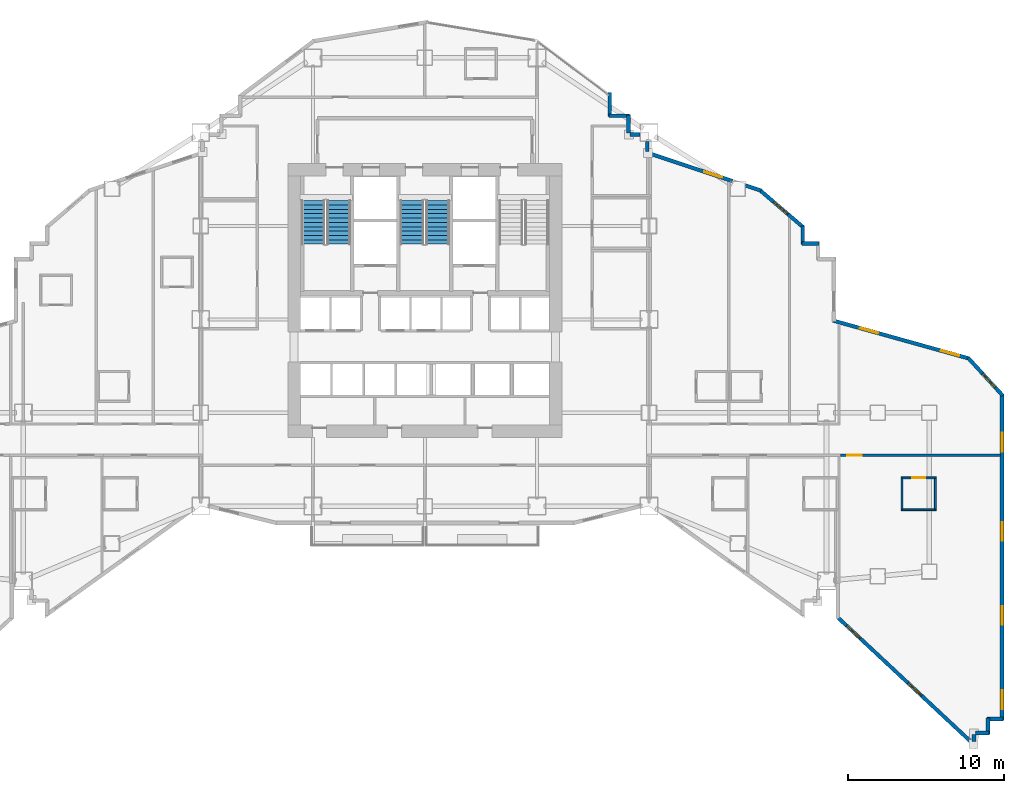
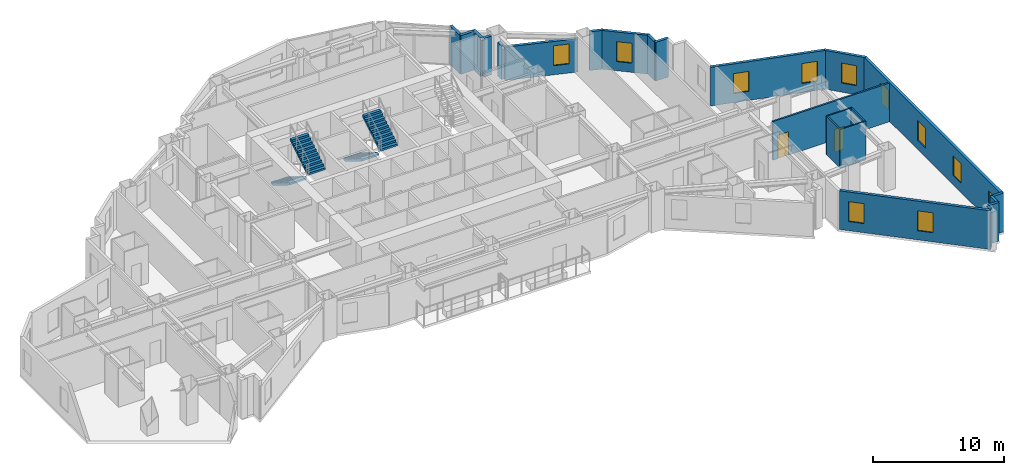
# One storey, part 12 of 16: 23 walls, 11 windows, 4 stair flights, 2 doors, 13 openings, 2 elements without a shape of their own.
"""IFC4 building model written with IfcOpenShell, lengths in metres."""

from ifc_helpers import new_model, si_unit, direction, frame, frame_2d, origin, place, context, subcontext, project, spatial, polyline, rectangle, outline, extrude, material, layer, layer_set, type_object, element, fill, aggregate, save


model = new_model("IFC4")

# Units and contexts
model_context = context("Model", 3, precision=1e-05, world=origin(), true_north=direction((0.0, 1.0)))
body_context = subcontext(model_context, "Body", "Model", "MODEL_VIEW")
ifc_project = project(units=[si_unit("LENGTHUNIT", "METRE"), si_unit("AREAUNIT", "SQUARE_METRE"), si_unit("VOLUMEUNIT", "CUBIC_METRE"), si_unit("PLANEANGLEUNIT", "RADIAN"), si_unit("MASSUNIT", "GRAM", prefix="KILO")], contexts=[model_context])

# Site, building, storey
site_placement = place(None, origin())
site = spatial("IfcSite", under=ifc_project, at=site_placement, CompositionType="ELEMENT")
building_placement = place(site_placement, origin())
building = spatial("IfcBuilding", under=site, at=building_placement, Name="Haolan Belvedere Tower", CompositionType="ELEMENT")
storey_placement = place(building_placement, frame((0.0, 0.0, 74.199951171875)))
storey = spatial("IfcBuildingStorey", under=building, at=storey_placement, Name="L18", CompositionType="ELEMENT", Elevation=74.199951171875)

# Wall, openings, windows
ifc_material_1 = material(Name="Precast concrete C40/50", Category="concrete")
ifc_layer_1 = layer(ifc_material_1, 0.239990234375, Name="Precast concrete C40/50")
ifc_layer_set_1 = layer_set([ifc_layer_1], Name="Precast concrete C40/50")
wall_type_1 = type_object("IfcWallType", Name="WL-EXT-240", PredefinedType="SOLIDWALL", material=ifc_layer_set_1)
wall_1_placement = place(storey_placement, frame((64.978515625, 14.3974609375, 0.0), z_axis=(0.0, 0.0, 1.0), x_axis=(0.731053894258, -0.682319722484, 0.0)))
wall_1 = element("IfcWall", 1, at=wall_1_placement, inside=storey, type_object=wall_type_1, Name="L18 pale-metal exterior spandrel wall 21.1", PredefinedType="SOLIDWALL", context=body_context, shape_type="SweptSolid", body=[
    extrude(rectangle(XDim=11.817626953125, YDim=0.239990234375, at=frame_2d((5.90869140625, 0.0))), origin(), (0.0, 0.0, 1.0), 3.60009765625),
])
opening_1_placement = place(wall_1_placement, frame((0.699951171875, 0.0, 0.85009765625)))
opening_1 = element("IfcOpeningElement", 2, at=opening_1_placement, cuts=wall_1, Name="Opening W-01", PredefinedType="OPENING", context=body_context, shape_type="SweptSolid", body=[
    extrude(rectangle(XDim=1.199951171875, YDim=1.85009765625, at=frame_2d((0.60009765625, 0.925048828125))), frame((0.0, 0.1298828125, 0.0), z_axis=(0.0, -1.0, 0.0), x_axis=(1.0, 0.0, 0.0)), (0.0, 0.0, 1.0), 0.260009765625),
])
opening_2_placement = place(wall_1_placement, frame((6.10009765625, 0.0, 0.85009765625)))
opening_2 = element("IfcOpeningElement", 3, at=opening_2_placement, cuts=wall_1, Name="Opening W-01", PredefinedType="OPENING", context=body_context, shape_type="SweptSolid", body=[
    extrude(rectangle(XDim=1.199951171875, YDim=1.85009765625, at=frame_2d((0.60009765625, 0.925048828125))), frame((0.0, 0.1298828125, 0.0), z_axis=(0.0, -1.0, 0.0), x_axis=(1.0, 0.0, 0.0)), (0.0, 0.0, 1.0), 0.260009765625),
])
ifc_material_2 = material(Name="Anodised aluminium 6063-T6 and Low-E glass", Category="aluminium")
window_type = type_object("IfcWindowType", Name="WN-DECO-Z1", PartitioningType="SINGLE_PANEL", PredefinedType="WINDOW", material=ifc_material_2)
window_1_placement = place(opening_1_placement, origin())
window_1 = element("IfcWindow", 4, at=window_1_placement, inside=storey, type_object=window_type, Name="L18 Art Deco chevron window 1", OverallHeight=1.85009765625, OverallWidth=1.199951171875, PartitioningType="SINGLE_PANEL", PredefinedType="WINDOW", context=body_context, shape_type="SweptSolid", body=[
    extrude(rectangle(XDim=1.199951171875, YDim=1.85009765625, at=frame_2d((0.60009765625, 0.925048828125))), frame((0.0, 0.030029296875, 0.0), z_axis=(0.0, -1.0, 0.0), x_axis=(1.0, 0.0, 0.0)), (0.0, 0.0, 1.0), 0.06005859375),
])
fill(opening_1, window_1)
window_2_placement = place(opening_2_placement, origin())
window_2 = element("IfcWindow", 5, at=window_2_placement, inside=storey, type_object=window_type, Name="L18 Art Deco chevron window 2", OverallHeight=1.85009765625, OverallWidth=1.199951171875, PartitioningType="SINGLE_PANEL", PredefinedType="WINDOW", context=body_context, shape_type="SweptSolid", body=[
    extrude(rectangle(XDim=1.199951171875, YDim=1.85009765625, at=frame_2d((0.60009765625, 0.925048828125))), frame((0.0, 0.030029296875, 0.0), z_axis=(0.0, -1.0, 0.0), x_axis=(1.0, 0.0, 0.0)), (0.0, 0.0, 1.0), 0.06005859375),
])
fill(opening_2, window_2)

# Walls
wall_2_placement = place(storey_placement, frame((73.679931640625, 6.481201171875, 0.0), z_axis=(0.0, 0.0, 1.0), x_axis=(0.0, 1.0, 0.0)))
element("IfcWall", 6, at=wall_2_placement, inside=storey, type_object=wall_type_1, Name="L18 pale-metal exterior spandrel wall 22.1", PredefinedType="SOLIDWALL", context=body_context, shape_type="SweptSolid", body=[
    extrude(rectangle(XDim=0.453857421875, YDim=0.239990234375, at=frame_2d((0.22705078125, 0.0))), origin(), (0.0, 0.0, 1.0), 3.60009765625),
])
wall_3_placement = place(storey_placement, frame((73.764892578125, 7.02001953125, 0.0), z_axis=(0.0, 0.0, 1.0), x_axis=(1.0, 0.0, 0.0)))
element("IfcWall", 7, at=wall_3_placement, inside=storey, type_object=wall_type_1, Name="L18 pale-metal exterior spandrel wall 23.1", PredefinedType="SOLIDWALL", context=body_context, shape_type="SweptSolid", body=[
    extrude(rectangle(XDim=0.8701171875, YDim=0.239990234375, at=frame_2d((0.43505859375, 0.0))), origin(), (0.0, 0.0, 1.0), 3.60009765625),
])
for number, where, z_axis, x_axis, name in (
    (8, (74.580078125, 6.965087890625, 0.0), (0.0, 0.0, 1.0), (0.0, 1.0, 0.0), "L18 pale-metal exterior spandrel wall 24.1"),
    (9, (74.52490234375, 7.919921875, 0.0), (0.0, 0.0, 1.0), (1.0, 0.0, 0.0), "L18 pale-metal exterior spandrel wall 25.1"),
):
    element("IfcWall", number, at=place(storey_placement, frame(where, z_axis=z_axis, x_axis=x_axis)), inside=storey, type_object=wall_type_1, Name=name, PredefinedType="SOLIDWALL", context=body_context, shape_type="SweptSolid", body=[
        extrude(rectangle(XDim=1.010009765625, YDim=0.239990234375, at=frame_2d((0.5048828125, 0.0))), origin(), (0.0, 0.0, 1.0), 3.60009765625),
    ])

# Wall, openings, windows
wall_4_placement = place(storey_placement, frame((75.47998046875, 7.864990234375, 0.0), z_axis=(0.0, 0.0, 1.0), x_axis=(0.0, 1.0, 0.0)))
wall_4 = element("IfcWall", 10, at=wall_4_placement, inside=storey, type_object=wall_type_1, Name="L18 pale-metal exterior spandrel wall 26.1", PredefinedType="SOLIDWALL", context=body_context, shape_type="SweptSolid", body=[
    extrude(rectangle(XDim=20.943359375, YDim=0.239990234375, at=frame_2d((10.4716796875, 0.0))), origin(), (0.0, 0.0, 1.0), 3.60009765625),
])
opening_3_placement = place(wall_4_placement, frame((0.699951171875, 0.0, 0.85009765625)))
opening_3 = element("IfcOpeningElement", 11, at=opening_3_placement, cuts=wall_4, Name="Opening W-01", PredefinedType="OPENING", context=body_context, shape_type="SweptSolid", body=[
    extrude(rectangle(XDim=1.199951171875, YDim=1.85009765625, at=frame_2d((0.60009765625, 0.925048828125))), frame((0.0, 0.1298828125, 0.0), z_axis=(0.0, -1.0, 0.0), x_axis=(1.0, 0.0, 0.0)), (0.0, 0.0, 1.0), 0.260009765625),
])
opening_4_placement = place(wall_4_placement, frame((6.10009765625, 0.0, 0.85009765625)))
opening_4 = element("IfcOpeningElement", 12, at=opening_4_placement, cuts=wall_4, Name="Opening W-01", PredefinedType="OPENING", context=body_context, shape_type="SweptSolid", body=[
    extrude(rectangle(XDim=1.199951171875, YDim=1.85009765625, at=frame_2d((0.60009765625, 0.925048828125))), frame((0.0, 0.1298828125, 0.0), z_axis=(0.0, -1.0, 0.0), x_axis=(1.0, 0.0, 0.0)), (0.0, 0.0, 1.0), 0.260009765625),
])
opening_5_placement = place(wall_4_placement, frame((11.5, 0.0, 0.85009765625)))
opening_5 = element("IfcOpeningElement", 13, at=opening_5_placement, cuts=wall_4, Name="Opening W-01", PredefinedType="OPENING", context=body_context, shape_type="SweptSolid", body=[
    extrude(rectangle(XDim=1.199951171875, YDim=1.85009765625, at=frame_2d((0.60009765625, 0.925048828125))), frame((0.0, 0.1298828125, 0.0), z_axis=(0.0, -1.0, 0.0), x_axis=(1.0, 0.0, 0.0)), (0.0, 0.0, 1.0), 0.260009765625),
])
opening_6_placement = place(wall_4_placement, frame((17.239990234375, 0.0, 0.85009765625)))
opening_6 = element("IfcOpeningElement", 14, at=opening_6_placement, cuts=wall_4, Name="Opening W-01", PredefinedType="OPENING", context=body_context, shape_type="SweptSolid", body=[
    extrude(rectangle(XDim=1.199951171875, YDim=1.85009765625, at=frame_2d((0.60009765625, 0.925048828125))), frame((0.0, 0.1298828125, 0.0), z_axis=(0.0, -1.0, 0.0), x_axis=(1.0, 0.0, 0.0)), (0.0, 0.0, 1.0), 0.260009765625),
])
window_3_placement = place(opening_3_placement, origin())
window_3 = element("IfcWindow", 15, at=window_3_placement, inside=storey, type_object=window_type, Name="L18 Art Deco chevron window 1", OverallHeight=1.85009765625, OverallWidth=1.199951171875, PartitioningType="SINGLE_PANEL", PredefinedType="WINDOW", context=body_context, shape_type="SweptSolid", body=[
    extrude(rectangle(XDim=1.199951171875, YDim=1.85009765625, at=frame_2d((0.60009765625, 0.925048828125))), frame((0.0, 0.030029296875, 0.0), z_axis=(0.0, -1.0, 0.0), x_axis=(1.0, 0.0, 0.0)), (0.0, 0.0, 1.0), 0.06005859375),
])
fill(opening_3, window_3)
window_4_placement = place(opening_4_placement, origin())
window_4 = element("IfcWindow", 16, at=window_4_placement, inside=storey, type_object=window_type, Name="L18 Art Deco chevron window 2", OverallHeight=1.85009765625, OverallWidth=1.199951171875, PartitioningType="SINGLE_PANEL", PredefinedType="WINDOW", context=body_context, shape_type="SweptSolid", body=[
    extrude(rectangle(XDim=1.199951171875, YDim=1.85009765625, at=frame_2d((0.60009765625, 0.925048828125))), frame((0.0, 0.030029296875, 0.0), z_axis=(0.0, -1.0, 0.0), x_axis=(1.0, 0.0, 0.0)), (0.0, 0.0, 1.0), 0.06005859375),
])
fill(opening_4, window_4)
window_5_placement = place(opening_5_placement, origin())
window_5 = element("IfcWindow", 17, at=window_5_placement, inside=storey, type_object=window_type, Name="L18 Art Deco chevron window 3", OverallHeight=1.85009765625, OverallWidth=1.199951171875, PartitioningType="SINGLE_PANEL", PredefinedType="WINDOW", context=body_context, shape_type="SweptSolid", body=[
    extrude(rectangle(XDim=1.199951171875, YDim=1.85009765625, at=frame_2d((0.60009765625, 0.925048828125))), frame((0.0, 0.030029296875, 0.0), z_axis=(0.0, -1.0, 0.0), x_axis=(1.0, 0.0, 0.0)), (0.0, 0.0, 1.0), 0.06005859375),
])
fill(opening_5, window_5)
window_6_placement = place(opening_6_placement, origin())
window_6 = element("IfcWindow", 18, at=window_6_placement, inside=storey, type_object=window_type, Name="L18 Art Deco chevron window 4", OverallHeight=1.85009765625, OverallWidth=1.199951171875, PartitioningType="SINGLE_PANEL", PredefinedType="WINDOW", context=body_context, shape_type="SweptSolid", body=[
    extrude(rectangle(XDim=1.199951171875, YDim=1.85009765625, at=frame_2d((0.60009765625, 0.925048828125))), frame((0.0, 0.030029296875, 0.0), z_axis=(0.0, -1.0, 0.0), x_axis=(1.0, 0.0, 0.0)), (0.0, 0.0, 1.0), 0.06005859375),
])
fill(opening_6, window_6)

# Wall, opening, window
wall_5_placement = place(storey_placement, frame((75.51708984375, 28.712890625, 0.0), z_axis=(0.0, 0.0, 1.0), x_axis=(-0.67574145796, 0.737138712858, 0.0)))
wall_5 = element("IfcWall", 19, at=wall_5_placement, inside=storey, type_object=wall_type_1, Name="L18 pale-metal exterior spandrel wall 27.1", PredefinedType="SOLIDWALL", context=body_context, shape_type="SweptSolid", body=[
    extrude(rectangle(XDim=3.284423828125, YDim=0.239990234375, at=frame_2d((1.64208984375, 0.0))), origin(), (0.0, 0.0, 1.0), 3.60009765625),
])
opening_7_placement = place(wall_5_placement, frame((0.699951171875, 0.0, 0.85009765625)))
opening_7 = element("IfcOpeningElement", 20, at=opening_7_placement, cuts=wall_5, Name="Opening W-01", PredefinedType="OPENING", context=body_context, shape_type="SweptSolid", body=[
    extrude(rectangle(XDim=1.199951171875, YDim=1.85009765625, at=frame_2d((0.60009765625, 0.925048828125))), frame((0.0, 0.1298828125, 0.0), z_axis=(0.0, -1.0, 0.0), x_axis=(1.0, 0.0, 0.0)), (0.0, 0.0, 1.0), 0.260009765625),
])
window_7_placement = place(opening_7_placement, origin())
window_7 = element("IfcWindow", 21, at=window_7_placement, inside=storey, type_object=window_type, Name="L18 Art Deco chevron window 1", OverallHeight=1.85009765625, OverallWidth=1.199951171875, PartitioningType="SINGLE_PANEL", PredefinedType="WINDOW", context=body_context, shape_type="SweptSolid", body=[
    extrude(rectangle(XDim=1.199951171875, YDim=1.85009765625, at=frame_2d((0.60009765625, 0.925048828125))), frame((0.0, 0.030029296875, 0.0), z_axis=(0.0, -1.0, 0.0), x_axis=(1.0, 0.0, 0.0)), (0.0, 0.0, 1.0), 0.06005859375),
])
fill(opening_7, window_7)

# Wall, openings, windows
wall_6_placement = place(storey_placement, frame((73.3876953125, 31.078857421875, 0.0), z_axis=(0.0, 0.0, 1.0), x_axis=(-0.963197271032, 0.268795493036, 0.0)))
wall_6 = element("IfcWall", 22, at=wall_6_placement, inside=storey, type_object=wall_type_1, Name="L18 pale-metal exterior spandrel wall 28.1", PredefinedType="SOLIDWALL", context=body_context, shape_type="SweptSolid", body=[
    extrude(rectangle(XDim=9.095458984375, YDim=0.239990234375, at=frame_2d((4.5478515625, 0.0))), origin(), (0.0, 0.0, 1.0), 3.60009765625),
])
opening_8_placement = place(wall_6_placement, frame((0.699951171875, 0.0, 0.85009765625)))
opening_8 = element("IfcOpeningElement", 23, at=opening_8_placement, cuts=wall_6, Name="Opening W-01", PredefinedType="OPENING", context=body_context, shape_type="SweptSolid", body=[
    extrude(rectangle(XDim=1.199951171875, YDim=1.85009765625, at=frame_2d((0.60009765625, 0.925048828125))), frame((0.0, 0.1298828125, 0.0), z_axis=(0.0, -1.0, 0.0), x_axis=(1.0, 0.0, 0.0)), (0.0, 0.0, 1.0), 0.260009765625),
])
opening_9_placement = place(wall_6_placement, frame((6.10009765625, 0.0, 0.85009765625)))
opening_9 = element("IfcOpeningElement", 24, at=opening_9_placement, cuts=wall_6, Name="Opening W-01", PredefinedType="OPENING", context=body_context, shape_type="SweptSolid", body=[
    extrude(rectangle(XDim=1.199951171875, YDim=1.85009765625, at=frame_2d((0.60009765625, 0.925048828125))), frame((0.0, 0.1298828125, 0.0), z_axis=(0.0, -1.0, 0.0), x_axis=(1.0, 0.0, 0.0)), (0.0, 0.0, 1.0), 0.260009765625),
])
window_8_placement = place(opening_8_placement, origin())
window_8 = element("IfcWindow", 25, at=window_8_placement, inside=storey, type_object=window_type, Name="L18 Art Deco chevron window 1", OverallHeight=1.85009765625, OverallWidth=1.199951171875, PartitioningType="SINGLE_PANEL", PredefinedType="WINDOW", context=body_context, shape_type="SweptSolid", body=[
    extrude(rectangle(XDim=1.199951171875, YDim=1.85009765625, at=frame_2d((0.60009765625, 0.925048828125))), frame((0.0, 0.030029296875, 0.0), z_axis=(0.0, -1.0, 0.0), x_axis=(1.0, 0.0, 0.0)), (0.0, 0.0, 1.0), 0.06005859375),
])
fill(opening_8, window_8)
window_9_placement = place(opening_9_placement, origin())
window_9 = element("IfcWindow", 26, at=window_9_placement, inside=storey, type_object=window_type, Name="L18 Art Deco chevron window 2", OverallHeight=1.85009765625, OverallWidth=1.199951171875, PartitioningType="SINGLE_PANEL", PredefinedType="WINDOW", context=body_context, shape_type="SweptSolid", body=[
    extrude(rectangle(XDim=1.199951171875, YDim=1.85009765625, at=frame_2d((0.60009765625, 0.925048828125))), frame((0.0, 0.030029296875, 0.0), z_axis=(0.0, -1.0, 0.0), x_axis=(1.0, 0.0, 0.0)), (0.0, 0.0, 1.0), 0.06005859375),
])
fill(opening_9, window_9)

# Walls
wall_7_placement = place(storey_placement, frame((63.735107421875, 38.47998046875, 0.0), z_axis=(0.0, 0.0, 1.0), x_axis=(-1.0, 0.0, 0.0)))
element("IfcWall", 27, at=wall_7_placement, inside=storey, type_object=wall_type_1, Name="L18 pale-metal exterior spandrel wall 32.1", PredefinedType="SOLIDWALL", context=body_context, shape_type="SweptSolid", body=[
    extrude(rectangle(XDim=1.110107421875, YDim=0.239990234375, at=frame_2d((0.55517578125, 0.0))), origin(), (0.0, 0.0, 1.0), 3.60009765625),
])
wall_8_placement = place(storey_placement, frame((62.679931640625, 38.425048828125, 0.0), z_axis=(0.0, 0.0, 1.0), x_axis=(0.0, 1.0, 0.0)))
element("IfcWall", 28, at=wall_8_placement, inside=storey, type_object=wall_type_1, Name="L18 pale-metal exterior spandrel wall 33.1", PredefinedType="SOLIDWALL", context=body_context, shape_type="SweptSolid", body=[
    extrude(rectangle(XDim=1.1748046875, YDim=0.239990234375, at=frame_2d((0.58740234375, 0.0))), origin(), (0.0, 0.0, 1.0), 3.60009765625),
])

# Wall, opening, window
wall_9_placement = place(storey_placement, frame((62.7216796875, 39.509033203125, 0.0), z_axis=(0.0, 0.0, 1.0), x_axis=(-0.759247334792, 0.650802185469, 0.0)))
wall_9 = element("IfcWall", 29, at=wall_9_placement, inside=storey, type_object=wall_type_1, Name="L18 pale-metal exterior spandrel wall 34.1", PredefinedType="SOLIDWALL", context=body_context, shape_type="SweptSolid", body=[
    extrude(rectangle(XDim=3.71923828125, YDim=0.239990234375, at=frame_2d((1.859619140625, 0.0))), origin(), (0.0, 0.0, 1.0), 3.60009765625),
])
opening_10_placement = place(wall_9_placement, frame((1.319580078125, 0.0, 0.85009765625)))
opening_10 = element("IfcOpeningElement", 30, at=opening_10_placement, cuts=wall_9, Name="Opening W-01", PredefinedType="OPENING", context=body_context, shape_type="SweptSolid", body=[
    extrude(rectangle(XDim=1.199951171875, YDim=1.85009765625, at=frame_2d((0.60009765625, 0.925048828125))), frame((0.0, 0.1298828125, 0.0), z_axis=(0.0, -1.0, 0.0), x_axis=(1.0, 0.0, 0.0)), (0.0, 0.0, 1.0), 0.260009765625),
])
window_10_placement = place(opening_10_placement, origin())
window_10 = element("IfcWindow", 31, at=window_10_placement, inside=storey, type_object=window_type, Name="L18 Art Deco chevron window 1", OverallHeight=1.85009765625, OverallWidth=1.199951171875, PartitioningType="SINGLE_PANEL", PredefinedType="WINDOW", context=body_context, shape_type="SweptSolid", body=[
    extrude(rectangle(XDim=1.199951171875, YDim=1.85009765625, at=frame_2d((0.60009765625, 0.925048828125))), frame((0.0, 0.030029296875, 0.0), z_axis=(0.0, -1.0, 0.0), x_axis=(1.0, 0.0, 0.0)), (0.0, 0.0, 1.0), 0.06005859375),
])
fill(opening_10, window_10)

# Wall
wall_10_placement = place(storey_placement, frame((59.991943359375, 41.876220703125, 0.0), z_axis=(0.0, 0.0, 1.0), x_axis=(-0.948706457285, 0.316158279832, 0.0)))
element("IfcWall", 32, at=wall_10_placement, inside=storey, type_object=wall_type_1, Name="L18 pale-metal exterior spandrel wall 35.1", PredefinedType="SOLIDWALL", context=body_context, shape_type="SweptSolid", body=[
    extrude(rectangle(XDim=1.053955078125, YDim=0.239990234375, at=frame_2d((0.52685546875, 0.0))), origin(), (0.0, 0.0, 1.0), 3.60009765625),
])

# Wall, opening, window
wall_11_placement = place(storey_placement, frame((58.14453125, 42.491943359375, 0.0), z_axis=(0.0, 0.0, 1.0), x_axis=(-0.948683298051, 0.316227766017, 0.0)))
wall_11 = element("IfcWall", 33, at=wall_11_placement, inside=storey, type_object=wall_type_1, Name="L18 pale-metal exterior spandrel wall 35.2", PredefinedType="SOLIDWALL", context=body_context, shape_type="SweptSolid", body=[
    extrude(rectangle(XDim=5.67529296875, YDim=0.239990234375, at=frame_2d((2.837646484375, 0.0))), origin(), (0.0, 0.0, 1.0), 3.09716796875),
])
opening_11_placement = place(wall_11_placement, frame((0.699951171875, 0.0, 0.85009765625)))
opening_11 = element("IfcOpeningElement", 34, at=opening_11_placement, cuts=wall_11, Name="Opening W-01", PredefinedType="OPENING", context=body_context, shape_type="SweptSolid", body=[
    extrude(rectangle(XDim=1.199951171875, YDim=1.85009765625, at=frame_2d((0.60009765625, 0.925048828125))), frame((0.0, 0.1298828125, 0.0), z_axis=(0.0, -1.0, 0.0), x_axis=(1.0, 0.0, 0.0)), (0.0, 0.0, 1.0), 0.260009765625),
])
window_11_placement = place(opening_11_placement, origin())
window_11 = element("IfcWindow", 35, at=window_11_placement, inside=storey, type_object=window_type, Name="L18 Art Deco chevron window 1", OverallHeight=1.85009765625, OverallWidth=1.199951171875, PartitioningType="SINGLE_PANEL", PredefinedType="WINDOW", context=body_context, shape_type="SweptSolid", body=[
    extrude(rectangle(XDim=1.199951171875, YDim=1.85009765625, at=frame_2d((0.60009765625, 0.925048828125))), frame((0.0, 0.030029296875, 0.0), z_axis=(0.0, -1.0, 0.0), x_axis=(1.0, 0.0, 0.0)), (0.0, 0.0, 1.0), 0.06005859375),
])
fill(opening_11, window_11)

# Walls
wall_12_placement = place(storey_placement, frame((52.679931640625, 44.3984375, 0.0), z_axis=(0.0, 0.0, 1.0), x_axis=(0.0, 1.0, 0.0)))
element("IfcWall", 36, at=wall_12_placement, inside=storey, type_object=wall_type_1, Name="L18 pale-metal exterior spandrel wall 36.1", PredefinedType="SOLIDWALL", context=body_context, shape_type="SweptSolid", body=[
    extrude(rectangle(XDim=0.634521484375, YDim=0.239990234375, at=frame_2d((0.3173828125, 0.0))), origin(), (0.0, 0.0, 1.0), 3.09716796875),
])
wall_13_placement = place(storey_placement, frame((52.23291015625, 45.47998046875, 0.0), z_axis=(0.0, 0.0, 1.0), x_axis=(-1.0, 0.0, 0.0)))
element("IfcWall", 37, at=wall_13_placement, inside=storey, type_object=wall_type_1, Name="L18 pale-metal exterior spandrel wall 37.1", PredefinedType="SOLIDWALL", context=body_context, shape_type="SweptSolid", body=[
    extrude(rectangle(XDim=0.66796875, YDim=0.239990234375, at=frame_2d((0.333984375, 0.0))), origin(), (0.0, 0.0, 1.0), 3.60009765625),
])
wall_14_placement = place(storey_placement, frame((51.47998046875, 45.56494140625, 0.0), z_axis=(0.0, 0.0, 1.0), x_axis=(0.0, 1.0, 0.0)))
element("IfcWall", 38, at=wall_14_placement, inside=storey, type_object=wall_type_1, Name="L18 pale-metal exterior spandrel wall 38.1", PredefinedType="SOLIDWALL", context=body_context, shape_type="SweptSolid", body=[
    extrude(rectangle(XDim=1.170166015625, YDim=0.239990234375, at=frame_2d((0.5849609375, 0.0))), origin(), (0.0, 0.0, 1.0), 3.60009765625),
])
wall_15_placement = place(storey_placement, frame((51.534912109375, 46.679931640625, 0.0), z_axis=(0.0, 0.0, 1.0), x_axis=(-1.0, 0.0, 0.0)))
element("IfcWall", 39, at=wall_15_placement, inside=storey, type_object=wall_type_1, Name="L18 pale-metal exterior spandrel wall 39.1", PredefinedType="SOLIDWALL", context=body_context, shape_type="SweptSolid", body=[
    extrude(rectangle(XDim=1.309814453125, YDim=0.239990234375, at=frame_2d((0.65478515625, 0.0))), origin(), (0.0, 0.0, 1.0), 3.60009765625),
])
wall_16_placement = place(storey_placement, frame((50.280029296875, 46.625, 0.0), z_axis=(0.0, 0.0, 1.0), x_axis=(0.0, 1.0, 0.0)))
element("IfcWall", 40, at=wall_16_placement, inside=storey, type_object=wall_type_1, Name="L18 pale-metal exterior spandrel wall 40.1", PredefinedType="SOLIDWALL", context=body_context, shape_type="SweptSolid", body=[
    extrude(rectangle(XDim=1.5400390625, YDim=0.239990234375, at=frame_2d((0.77001953125, 0.0))), origin(), (0.0, 0.0, 1.0), 3.60009765625),
])

# Wall, opening, door
ifc_material_3 = material(Name="Double gypsum acoustic stud partition", Category="masonry")
ifc_layer_2 = layer(ifc_material_3, 0.14990234375, Name="Double gypsum acoustic stud partition")
ifc_layer_set_2 = layer_set([ifc_layer_2], Name="Double gypsum acoustic stud partition")
wall_type_2 = type_object("IfcWallType", Name="WL-PART-150", PredefinedType="PARTITIONING", material=ifc_layer_set_2)
wall_17_placement = place(storey_placement, frame((65.10205078125, 24.8701171875, 0.0), z_axis=(0.0, 0.0, 1.0), x_axis=(1.0, 0.0, 0.0)))
wall_17 = element("IfcWall", 41, at=wall_17_placement, inside=storey, type_object=wall_type_2, Name="L18 interior partition IW-L18-T5S1-N", PredefinedType="PARTITIONING", context=body_context, shape_type="SweptSolid", body=[
    extrude(rectangle(XDim=10.27294921875, YDim=0.14990234375, at=frame_2d((5.136474609375, 0.0))), origin(), (0.0, 0.0, 1.0), 3.60009765625),
])
opening_12_placement = place(wall_17_placement, frame((1.379150390625, 0.0, 0.0), z_axis=(0.0, 0.0, 1.0), x_axis=(-1.0, 0.0, 0.0)))
opening_12 = element("IfcOpeningElement", 42, at=opening_12_placement, cuts=wall_17, Name="Opening ID-01", PredefinedType="OPENING", context=body_context, shape_type="SweptSolid", body=[
    extrude(rectangle(XDim=0.949951171875, YDim=2.179931640625, at=frame_2d((0.47509765625, 1.08984375))), frame((0.0, 0.0849609375, 0.0), z_axis=(0.0, -1.0, 0.0), x_axis=(1.0, 0.0, 0.0)), (0.0, 0.0, 1.0), 0.169921875),
])
ifc_material_4 = material(Name="Acoustic walnut veneer fire-rated timber", Category="wood")
door_type_1 = type_object("IfcDoorType", Name="DR-SUITE-950", OperationType="NOTDEFINED", PredefinedType="DOOR", material=ifc_material_4)
door_1_placement = place(opening_12_placement, origin())
door_1 = element("IfcDoor", 43, at=door_1_placement, inside=storey, type_object=door_type_1, Name="L18 door ID-L18-T5S1-ENT", OperationType="SINGLE_SWING_LEFT", OverallHeight=2.179931640625, OverallWidth=0.949951171875, PredefinedType="DOOR", context=body_context, shape_type="SweptSolid", body=[
    extrude(rectangle(XDim=0.949951171875, YDim=2.179931640625, at=frame_2d((0.47509765625, 1.08984375))), frame((0.0, 0.02490234375, 0.0), z_axis=(0.0, -1.0, 0.0), x_axis=(1.0, 0.0, 0.0)), (0.0, 0.0, 1.0), 0.050048828125),
])
fill(opening_12, door_1)

ifc_material_5 = material(Name="Moisture-resistant gypsum tile partition", Category="masonry")
ifc_layer_3 = layer(ifc_material_5, 0.1201171875, Name="Moisture-resistant gypsum tile partition")
ifc_layer_set_3 = layer_set([ifc_layer_3], Name="Moisture-resistant gypsum tile partition")
wall_type_3 = type_object("IfcWallType", Name="WL-WET-120", PredefinedType="PARTITIONING", material=ifc_layer_set_3)
wall_18_placement = place(storey_placement, frame((68.989990234375, 23.419921875, 0.0), z_axis=(0.0, 0.0, 1.0), x_axis=(1.0, 0.0, 0.0)))
wall_18 = element("IfcWall", 44, at=wall_18_placement, inside=storey, type_object=wall_type_3, Name="L18 interior partition IW-L18-T5S1-BN", PredefinedType="PARTITIONING", context=body_context, shape_type="SweptSolid", body=[
    extrude(rectangle(XDim=2.27001953125, YDim=0.1201171875, at=frame_2d((1.135009765625, 0.0))), origin(), (0.0, 0.0, 1.0), 3.60009765625),
])
opening_13_placement = place(wall_18_placement, frame((1.56005859375, 0.0, 0.0), z_axis=(0.0, 0.0, 1.0), x_axis=(-1.0, 0.0, 0.0)))
opening_13 = element("IfcOpeningElement", 45, at=opening_13_placement, cuts=wall_18, Name="Opening ID-05", PredefinedType="OPENING", context=body_context, shape_type="SweptSolid", body=[
    extrude(rectangle(XDim=0.85009765625, YDim=2.10009765625, at=frame_2d((0.425048828125, 1.050048828125))), frame((0.0, 0.070068359375, 0.0), z_axis=(0.0, -1.0, 0.0), x_axis=(1.0, 0.0, 0.0)), (0.0, 0.0, 1.0), 0.14013671875),
])
ifc_material_6 = material(Name="Moisture-resistant lacquered timber", Category="wood")
door_type_2 = type_object("IfcDoorType", Name="DR-BATH-850", OperationType="NOTDEFINED", PredefinedType="DOOR", material=ifc_material_6)
door_2_placement = place(opening_13_placement, origin())
door_2 = element("IfcDoor", 46, at=door_2_placement, inside=storey, type_object=door_type_2, Name="L18 door ID-L18-T5S1-BATH", OperationType="SINGLE_SWING_RIGHT", OverallHeight=2.10009765625, OverallWidth=0.85009765625, PredefinedType="DOOR", context=body_context, shape_type="SweptSolid", body=[
    extrude(rectangle(XDim=0.85009765625, YDim=2.10009765625, at=frame_2d((0.425048828125, 1.050048828125))), frame((0.0, 0.02490234375, 0.0), z_axis=(0.0, -1.0, 0.0), x_axis=(1.0, 0.0, 0.0)), (0.0, 0.0, 1.0), 0.050048828125),
])
fill(opening_13, door_2)

# Walls
wall_19_placement = place(storey_placement, frame((68.989990234375, 21.3701171875, 0.0), z_axis=(0.0, 0.0, 1.0), x_axis=(1.0, 0.0, 0.0)))
element("IfcWall", 47, at=wall_19_placement, inside=storey, type_object=wall_type_3, Name="L18 interior partition IW-L18-T5S1-BS", PredefinedType="PARTITIONING", context=body_context, shape_type="SweptSolid", body=[
    extrude(rectangle(XDim=2.27001953125, YDim=0.1201171875, at=frame_2d((1.135009765625, 0.0))), origin(), (0.0, 0.0, 1.0), 3.60009765625),
])
for number, where, z_axis, x_axis, name in (
    (48, (69.050048828125, 21.4150390625, 0.0), (0.0, 0.0, 1.0), (0.0, 1.0, 0.0), "L18 interior partition IW-L18-T5S1-BW"),
    (49, (71.199951171875, 21.4150390625, 0.0), (0.0, 0.0, 1.0), (0.0, 1.0, 0.0), "L18 interior partition IW-L18-T5S1-BE"),
):
    element("IfcWall", number, at=place(storey_placement, frame(where, z_axis=z_axis, x_axis=x_axis)), inside=storey, type_object=wall_type_3, Name=name, PredefinedType="PARTITIONING", context=body_context, shape_type="SweptSolid", body=[
        extrude(rectangle(XDim=1.9599609375, YDim=0.1201171875, at=frame_2d((0.97998046875, 0.0))), origin(), (0.0, 0.0, 1.0), 3.60009765625),
    ])

# Stair, stair flights
ifc_material_7 = material(Name="Concrete C40/50", Category="concrete")
stair_type = type_object("IfcStairType", Name="STR-DL-22R-173", PredefinedType="HALF_TURN_STAIR", material=ifc_material_7)
stair_1_placement = place(storey_placement, origin())
stair_1 = element("IfcStair", 50, at=stair_1_placement, inside=storey, type_object=stair_type, Name="L18 Smokeproof Core Exit Stair ST1", PredefinedType="HALF_TURN_STAIR")
stair_flight_type = type_object("IfcStairFlightType", Name="SFL-DL-11R-173", PredefinedType="STRAIGHT", material=ifc_material_7)
stair_flight_1_placement = place(storey_placement, frame((31.2099609375, 41.22998046875, 0.0), z_axis=(0.0, 0.0, 1.0), x_axis=(0.0, -1.0, 0.0)))
stair_flight_1 = element("IfcStairFlight", 51, at=stair_flight_1_placement, type_object=stair_flight_type, Name="ST1 flight 1", NumberOfRisers=11, NumberOfTreads=10, PredefinedType="STRAIGHT", RiserHeight=0.172727273, TreadLength=0.28, context=body_context, shape_type="SweptSolid", body=[
    extrude(outline(polyline([(0.0, 0.0), (0.0, 0.172607421875), (0.280029296875, 0.172607421875), (0.280029296875, 0.345458984375), (0.56005859375, 0.345458984375), (0.56005859375, 0.51806640625), (0.840087890625, 0.51806640625), (0.840087890625, 0.69091796875), (1.1201171875, 0.69091796875), (1.1201171875, 0.863525390625), (1.39990234375, 0.863525390625), (1.39990234375, 1.036376953125), (1.679931640625, 1.036376953125), (1.679931640625, 1.208984375), (1.9599609375, 1.208984375), (1.9599609375, 1.3818359375), (2.239990234375, 1.3818359375), (2.239990234375, 1.554443359375), (2.52001953125, 1.554443359375), (2.52001953125, 1.727294921875), (2.800048828125, 1.727294921875), (2.800048828125, 1.89990234375), (2.800048828125, 1.551025390625), (0.285400390625, 0.0), (0.0, 0.0)])), frame((0.0, 0.760009765625, 0.0), z_axis=(0.0, -1.0, 0.0), x_axis=(1.0, 0.0, 0.0)), (0.0, 0.0, 1.0), 1.52001953125),
])
stair_flight_2_placement = place(storey_placement, frame((32.8701171875, 38.429931640625, 1.900146484375), z_axis=(0.0, 0.0, 1.0), x_axis=(0.0, 1.0, 0.0)))
stair_flight_2 = element("IfcStairFlight", 52, at=stair_flight_2_placement, type_object=stair_flight_type, Name="ST1 flight 2", NumberOfRisers=11, NumberOfTreads=10, PredefinedType="STRAIGHT", RiserHeight=0.172727273, TreadLength=0.28, context=body_context, shape_type="SweptSolid", body=[
    extrude(outline(polyline([(0.0, 0.0), (0.0, 0.172607421875), (0.280029296875, 0.172607421875), (0.280029296875, 0.345458984375), (0.56005859375, 0.345458984375), (0.56005859375, 0.51806640625), (0.840087890625, 0.51806640625), (0.840087890625, 0.69091796875), (1.1201171875, 0.69091796875), (1.1201171875, 0.863525390625), (1.39990234375, 0.863525390625), (1.39990234375, 1.036376953125), (1.679931640625, 1.036376953125), (1.679931640625, 1.208984375), (1.9599609375, 1.208984375), (1.9599609375, 1.3818359375), (2.239990234375, 1.3818359375), (2.239990234375, 1.554443359375), (2.52001953125, 1.554443359375), (2.52001953125, 1.727294921875), (2.800048828125, 1.727294921875), (2.800048828125, 1.89990234375), (2.800048828125, 1.551025390625), (0.285400390625, 0.0), (0.0, 0.0)])), frame((0.0, 0.760009765625, 0.0), z_axis=(0.0, -1.0, 0.0), x_axis=(1.0, 0.0, 0.0)), (0.0, 0.0, 1.0), 1.52001953125),
])
aggregate(stair_1, [stair_flight_1, stair_flight_2])

stair_2_placement = place(storey_placement, origin())
stair_2 = element("IfcStair", 53, at=stair_2_placement, inside=storey, type_object=stair_type, Name="L18 Smokeproof Core Exit Stair ST3", PredefinedType="HALF_TURN_STAIR")
stair_flight_3_placement = place(storey_placement, frame((37.570068359375, 41.22998046875, 0.0), z_axis=(0.0, 0.0, 1.0), x_axis=(0.0, -1.0, 0.0)))
stair_flight_3 = element("IfcStairFlight", 54, at=stair_flight_3_placement, type_object=stair_flight_type, Name="ST3 flight 1", NumberOfRisers=11, NumberOfTreads=10, PredefinedType="STRAIGHT", RiserHeight=0.172727273, TreadLength=0.28, context=body_context, shape_type="SweptSolid", body=[
    extrude(outline(polyline([(0.0, 0.0), (0.0, 0.172607421875), (0.280029296875, 0.172607421875), (0.280029296875, 0.345458984375), (0.56005859375, 0.345458984375), (0.56005859375, 0.51806640625), (0.840087890625, 0.51806640625), (0.840087890625, 0.69091796875), (1.1201171875, 0.69091796875), (1.1201171875, 0.863525390625), (1.39990234375, 0.863525390625), (1.39990234375, 1.036376953125), (1.679931640625, 1.036376953125), (1.679931640625, 1.208984375), (1.9599609375, 1.208984375), (1.9599609375, 1.3818359375), (2.239990234375, 1.3818359375), (2.239990234375, 1.554443359375), (2.52001953125, 1.554443359375), (2.52001953125, 1.727294921875), (2.800048828125, 1.727294921875), (2.800048828125, 1.89990234375), (2.800048828125, 1.551025390625), (0.285400390625, 0.0), (0.0, 0.0)])), frame((0.0, 0.760009765625, 0.0), z_axis=(0.0, -1.0, 0.0), x_axis=(1.0, 0.0, 0.0)), (0.0, 0.0, 1.0), 1.52001953125),
])
stair_flight_4_placement = place(storey_placement, frame((39.22998046875, 38.429931640625, 1.900146484375), z_axis=(0.0, 0.0, 1.0), x_axis=(0.0, 1.0, 0.0)))
stair_flight_4 = element("IfcStairFlight", 55, at=stair_flight_4_placement, type_object=stair_flight_type, Name="ST3 flight 2", NumberOfRisers=11, NumberOfTreads=10, PredefinedType="STRAIGHT", RiserHeight=0.172727273, TreadLength=0.28, context=body_context, shape_type="SweptSolid", body=[
    extrude(outline(polyline([(0.0, 0.0), (0.0, 0.172607421875), (0.280029296875, 0.172607421875), (0.280029296875, 0.345458984375), (0.56005859375, 0.345458984375), (0.56005859375, 0.51806640625), (0.840087890625, 0.51806640625), (0.840087890625, 0.69091796875), (1.1201171875, 0.69091796875), (1.1201171875, 0.863525390625), (1.39990234375, 0.863525390625), (1.39990234375, 1.036376953125), (1.679931640625, 1.036376953125), (1.679931640625, 1.208984375), (1.9599609375, 1.208984375), (1.9599609375, 1.3818359375), (2.239990234375, 1.3818359375), (2.239990234375, 1.554443359375), (2.52001953125, 1.554443359375), (2.52001953125, 1.727294921875), (2.800048828125, 1.727294921875), (2.800048828125, 1.89990234375), (2.800048828125, 1.551025390625), (0.285400390625, 0.0), (0.0, 0.0)])), frame((0.0, 0.760009765625, 0.0), z_axis=(0.0, -1.0, 0.0), x_axis=(1.0, 0.0, 0.0)), (0.0, 0.0, 1.0), 1.52001953125),
])
aggregate(stair_2, [stair_flight_3, stair_flight_4])

save(model, "model.ifc")
